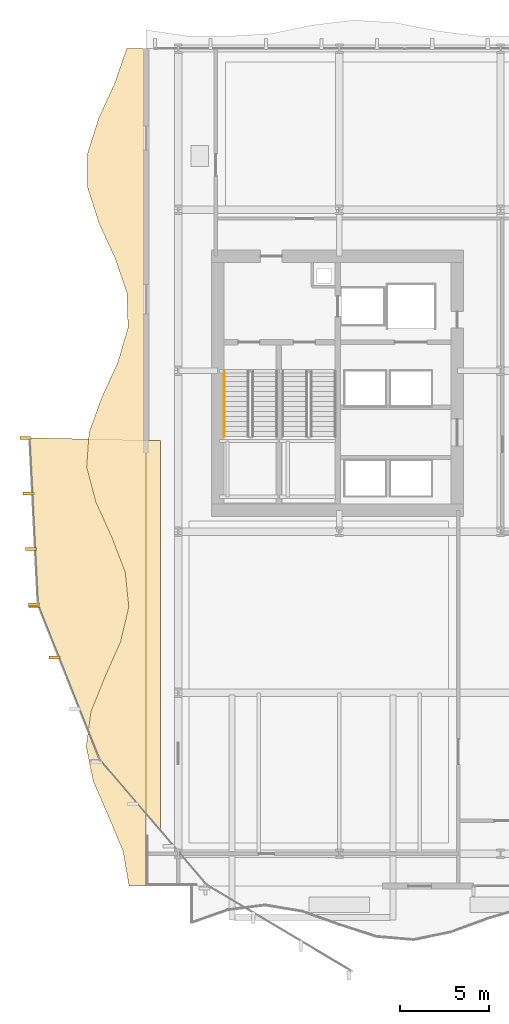
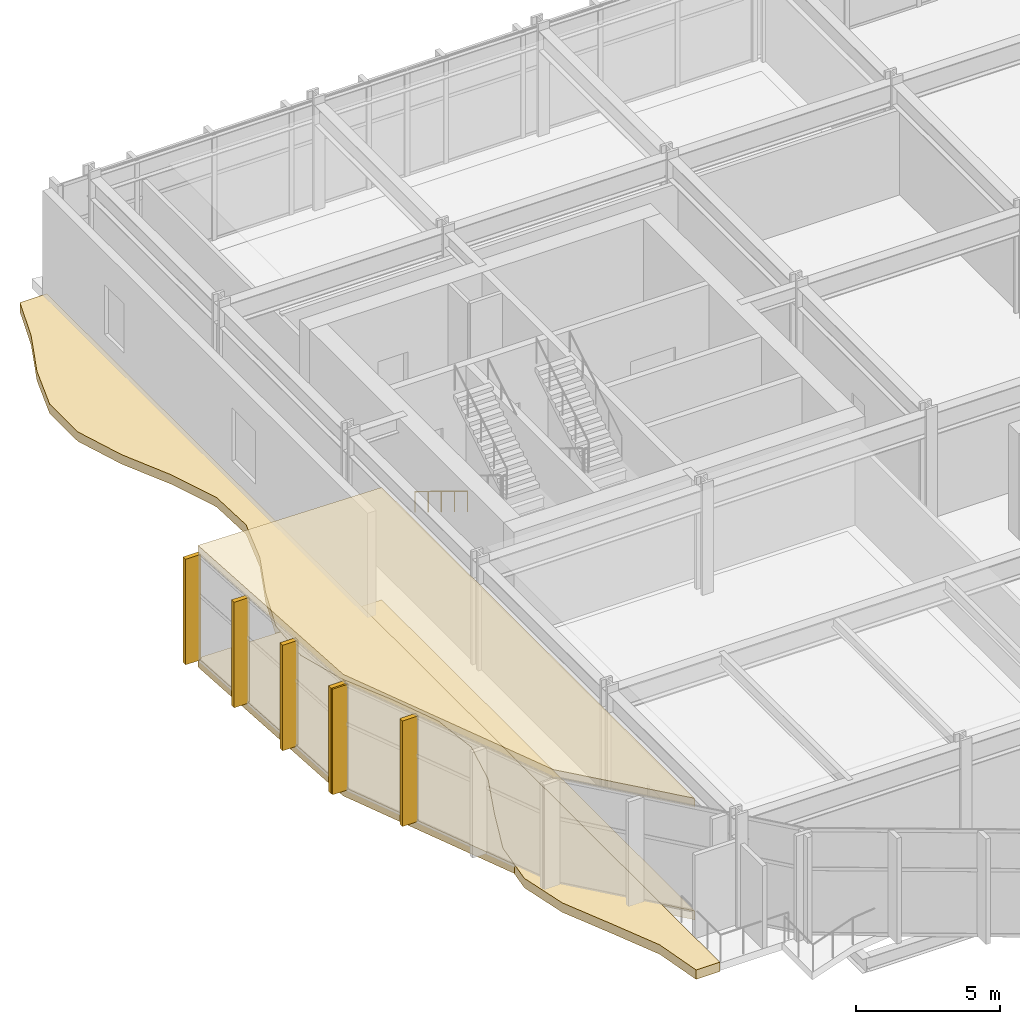
# One storey, part 24 of 29: 9 coverings, 1 railing.
"""IFC4 building model written with IfcOpenShell, lengths in metres."""

from ifc_helpers import new_model, si_unit, direction, frame, origin, origin_2d, place, context, subcontext, project, spatial, polyline, rectangle, circle, outline, extrude, material, layer, layer_set, type_object, element, save


model = new_model("IFC4")

# Units and contexts
model_context = context("Model", 3, precision=1e-05, world=origin(), true_north=direction((0.0, 1.0)))
body_context = subcontext(model_context, "Body", "Model", "MODEL_VIEW")
ifc_project = project(units=[si_unit("LENGTHUNIT", "METRE"), si_unit("AREAUNIT", "SQUARE_METRE"), si_unit("VOLUMEUNIT", "CUBIC_METRE"), si_unit("PLANEANGLEUNIT", "RADIAN"), si_unit("MASSUNIT", "GRAM", prefix="KILO")], contexts=[model_context])

# Site, building, storey
site_placement = place(None, origin())
site = spatial("IfcSite", under=ifc_project, at=site_placement, CompositionType="ELEMENT")
building_placement = place(site_placement, origin())
building = spatial("IfcBuilding", under=site, at=building_placement, Name="Solvaryn Broadcast Tower", CompositionType="ELEMENT")
storey_placement = place(building_placement, frame((0.0, 0.0, 21.199951171875)))
storey = spatial("IfcBuildingStorey", under=building, at=storey_placement, Name="L04", CompositionType="ELEMENT", Elevation=21.199951171875)

# Coverings
ifc_material_1 = material(Name="Extruded Architectural Terracotta Fin", Category="masonry")
ifc_layer_1 = layer(ifc_material_1, 0.179931640625)
ifc_layer_set_1 = layer_set([ifc_layer_1], Name="CV-TC-FIN")
covering_type_1 = type_object("IfcCoveringType", Name="CV-TC-FIN", PredefinedType="USERDEFINED", material=ifc_layer_set_1)
for number, where, z_axis, x_axis, name in (
    (1, (0.465087890625, 32.23291015625, 0.0), (0.0, 0.0, 1.0), (1.0, 0.0, 0.0), "L04 Terracotta Vertical Fin FIN-POD-L04-DC1-00"),
    (2, (0.6201171875, 29.134033203125, 0.0), (0.0, 0.0, 1.0), (1.0, 0.0, 0.0), "L04 Terracotta Vertical Fin FIN-POD-L04-DC1-01"),
    (3, (0.77490234375, 26.034912109375, 0.0), (0.0, 0.0, 1.0), (1.0, 0.0, 0.0), "L04 Terracotta Vertical Fin FIN-POD-L04-DC1-02"),
    (4, (0.929931640625, 22.93603515625, 0.0), (0.0, 0.0, 1.0), (1.0, 0.0, 0.0), "L04 Terracotta Vertical Fin FIN-POD-L04-DC1-03"),
    (5, (0.947021484375, 22.85888671875, 0.0), (0.0, 0.0, 1.0), (1.0, 0.0, 0.0), "L04 Terracotta Vertical Fin FIN-POD-L04-DC2-00"),
    (6, (2.093017578125, 19.9755859375, 0.0), (0.0, 0.0, 1.0), (1.0, 0.0, 0.0), "L04 Terracotta Vertical Fin FIN-POD-L04-DC2-01"),
):
    element("IfcCovering", number, at=place(storey_placement, frame(where, z_axis=z_axis, x_axis=x_axis)), inside=storey, type_object=covering_type_1, Name=name, ObjectType="FIN", PredefinedType="USERDEFINED", context=body_context, shape_type="SweptSolid", body=[
        extrude(rectangle(XDim=0.6201171875, YDim=0.179931640625, at=origin_2d()), origin(), (0.0, 0.0, 1.0), 4.47998046875),
    ])
ifc_material_2 = material(Name="Sculpted Architectural Terracotta Wave Fascia", Category="masonry")
ifc_layer_2 = layer(ifc_material_2, 0.340087890625)
ifc_layer_set_2 = layer_set([ifc_layer_2], Name="CV-WAVE-TRAY")
covering_type_2 = type_object("IfcCoveringType", Name="CV-WAVE-TRAY", PredefinedType="CLADDING", material=ifc_layer_set_2)
covering_1_placement = place(storey_placement, frame((0.0, 0.0, -0.33984375)))
element("IfcCovering", 7, at=covering_1_placement, inside=storey, type_object=covering_type_2, Name="L04 Curved Studio Drum Deck Apron", PredefinedType="CLADDING", context=body_context, shape_type="SweptSolid", body=[
    extrude(outline(polyline([(8.0, 32.10009765625), (0.705078125, 32.2451171875), (1.169921875, 22.947998046875), (4.60791015625, 14.298095703125), (10.65087890625, 7.218994140625), (18.654052734375, 2.466064453125), (21.10009765625, 8.0), (8.0, 8.0), (8.0, 32.10009765625)])), origin(), (0.0, 0.0, 1.0), 0.3798828125),
])
covering_2_placement = place(storey_placement, frame((0.0, 0.0, 4.43994140625)))
element("IfcCovering", 8, at=covering_2_placement, inside=storey, type_object=covering_type_2, Name="L04 Curved Studio Drum Ceiling Soffit", PredefinedType="CLADDING", context=body_context, shape_type="SweptSolid", body=[
    extrude(outline(polyline([(8.0, 32.10009765625), (0.705078125, 32.2451171875), (1.169921875, 22.947998046875), (4.60791015625, 14.298095703125), (10.65087890625, 7.218994140625), (18.654052734375, 2.466064453125), (21.10009765625, 8.0), (8.0, 8.0), (8.0, 32.10009765625)])), origin(), (0.0, 0.0, 1.0), 0.380126953125),
])
covering_3_placement = place(storey_placement, frame((0.0, 0.0, -0.35986328125)))
element("IfcCovering", 9, at=covering_3_placement, inside=storey, type_object=covering_type_2, Name="L04 Spreading Wave Tray Apron W", PredefinedType="CLADDING", context=body_context, shape_type="SweptSolid", body=[
    extrude(outline(polyline([(7.199951171875, 7.199951171875), (7.199951171875, 9.14990234375), (7.199951171875, 11.10009765625), (7.199951171875, 13.050048828125), (7.199951171875, 15.0), (7.199951171875, 16.949951171875), (7.199951171875, 18.89990234375), (7.199951171875, 20.85009765625), (7.199951171875, 22.800048828125), (7.199951171875, 24.75), (7.199951171875, 26.699951171875), (7.199951171875, 28.64990234375), (7.199951171875, 30.60009765625), (7.199951171875, 32.550048828125), (7.199951171875, 34.5), (7.199951171875, 36.449951171875), (7.199951171875, 38.39990234375), (7.199951171875, 40.35009765625), (7.199951171875, 42.300048828125), (7.199951171875, 44.25), (7.199951171875, 46.199951171875), (7.199951171875, 48.14990234375), (7.199951171875, 50.10009765625), (7.199951171875, 52.050048828125), (7.199951171875, 54.0), (6.118896484375, 54.0), (5.443115234375, 52.050048828125), (4.548095703125, 50.10009765625), (3.93310546875, 48.14990234375), (3.94091796875, 46.199951171875), (4.569091796875, 44.25), (5.465087890625, 42.300048828125), (6.1298828125, 40.35009765625), (6.19091796875, 38.39990234375), (5.615966796875, 36.449951171875), (4.72412109375, 34.5), (4.014892578125, 32.550048828125), (3.883056640625, 30.60009765625), (4.403076171875, 28.64990234375), (5.283935546875, 26.699951171875), (6.033935546875, 24.75), (6.235107421875, 22.800048828125), (5.77392578125, 20.85009765625), (4.908935546875, 18.89990234375), (4.1220703125, 16.949951171875), (3.85400390625, 15.0), (4.2529296875, 13.050048828125), (5.096923828125, 11.10009765625), (5.9150390625, 9.14990234375), (6.25, 7.199951171875), (7.199951171875, 7.199951171875)])), origin(), (0.0, 0.0, 1.0), 0.39990234375),
])

# Railing
ifc_material_3 = material(Name="Brushed Stainless Steel Tubular Handrail", Category="steel")
railing_type = type_object("IfcRailingType", Name="RL-STAIR-HANDRAIL", PredefinedType="HANDRAIL", material=ifc_material_3)
railing_placement = place(storey_placement, frame((11.570068359375, 35.9599609375, 0.17138671875)))
element("IfcRailing", 10, at=railing_placement, inside=storey, type_object=railing_type, Name="L04 ST1 stair handrail 1", PredefinedType="HANDRAIL", context=body_context, shape_type="SweptSolid", body=[
    extrude(circle(Radius=0.02392578125, at=origin_2d()), frame((0.0, 0.0, 0.8759765625), z_axis=(0.0, -0.852824790078, 0.522197163366), x_axis=(1.0, 0.0, 0.0)), (0.0, 0.0, 1.0), 4.26806640625),
    extrude(circle(Radius=0.02099609375, at=origin_2d()), origin(), (0.0, 0.0, 1.0), 0.851806640625),
    extrude(circle(Radius=0.02099609375, at=origin_2d()), frame((0.0, -0.909912109375, 0.55712890625)), (0.0, 0.0, 1.0), 0.851806640625),
    extrude(circle(Radius=0.02099609375, at=origin_2d()), frame((0.0, -1.81982421875, 1.1142578125)), (0.0, 0.0, 1.0), 0.851806640625),
    extrude(circle(Radius=0.02099609375, at=origin_2d()), frame((0.0, -2.72998046875, 1.671630859375)), (0.0, 0.0, 1.0), 0.851806640625),
    extrude(circle(Radius=0.02099609375, at=origin_2d()), frame((0.0, -3.639892578125, 2.228759765625)), (0.0, 0.0, 1.0), 0.851806640625),
])

save(model, "model.ifc")
